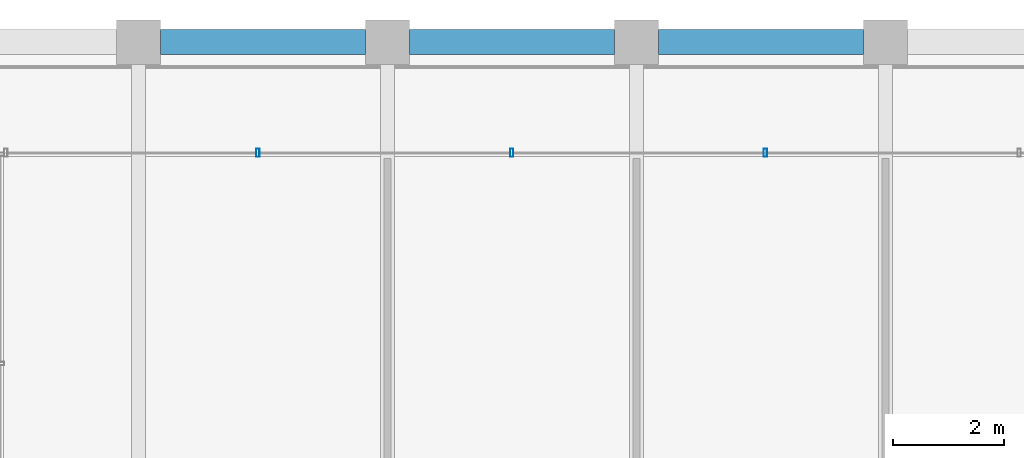
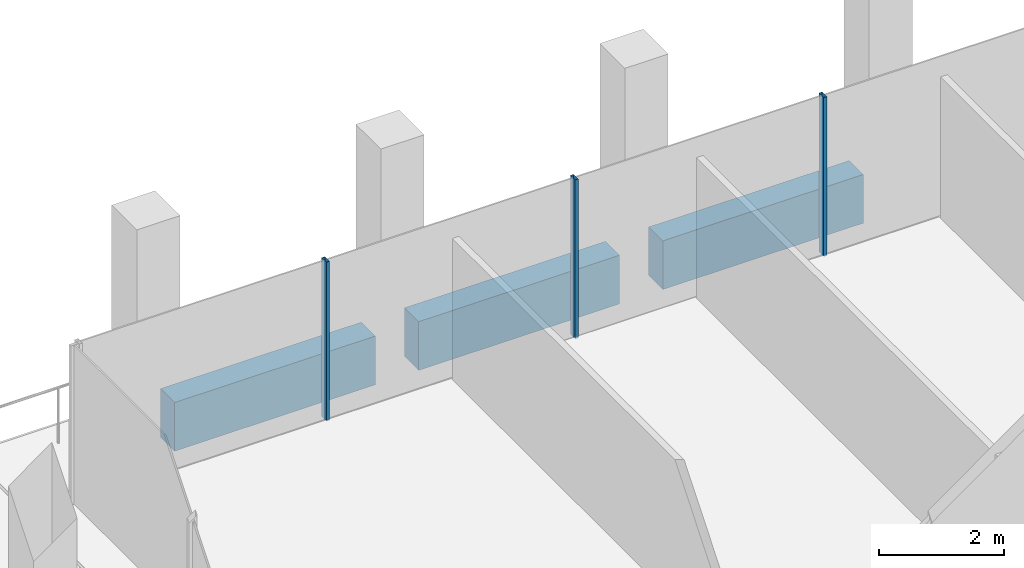
# One storey, part 23 of 30: 3 beams, 3 members, 1 element without a shape of its own.
"""IFC4 building model written with IfcOpenShell, lengths in metres."""

import ifcopenshell
import ifcopenshell.guid

model = None  # the IFC model being written
_history = None  # IfcOwnerHistory: only IFC2X3 demands one
_inside = {}  # id of a spatial element -> (the spatial element, [elements in it])
_under = {}  # id of a project, library or spatial element -> (it, [spatial elements below it])
_declared = {}  # id of a project -> (the project, [libraries it declares])
_typed = {}  # id of a type object -> (the type object, [elements of that type])
_made_of = {}  # id of a material, layer set ... -> (it, [elements and type objects made of it])


def new_model(schema):
    """Start an empty IFC model of exactly this schema.

    Asked for "IFC4X3", IfcOpenShell would pick the latest addendum, in which some entities
    have other attributes; the version numbers below select the first issue.
    IFC2X3 requires an IfcOwnerHistory on every rooted entity: one is made here for all.
    """
    global model, _history
    if schema == "IFC4X3":
        model = ifcopenshell.file(schema_version=(4, 3, 0, 0))
    else:
        model = ifcopenshell.file(schema=schema)
    _inside.clear()
    _under.clear()
    _declared.clear()
    _typed.clear()
    _made_of.clear()
    _history = None
    if model.schema == "IFC2X3":
        org = make("IfcOrganization", Name="unknown")
        user = make(
            "IfcPersonAndOrganization",
            ThePerson=make("IfcPerson", FamilyName="unknown"),
            TheOrganization=org,
        )
        app = make(
            "IfcApplication",
            ApplicationDeveloper=org,
            Version="unknown",
            ApplicationFullName="unknown",
            ApplicationIdentifier="unknown",
        )
        _history = make(
            "IfcOwnerHistory",
            OwningUser=user,
            OwningApplication=app,
            ChangeAction="ADDED",
            CreationDate=0,
        )
    return model


def make(cls, **values):
    """One entity of the class cls with the attributes given. An attribute that is None is left unset."""
    return model.create_entity(
        cls, **{name: value for name, value in values.items() if value is not None}
    )


def rooted(cls, **values):
    """An entity with a GlobalId (a new one), such as an element, a storey or a relation."""
    return make(cls, GlobalId=ifcopenshell.guid.new(), OwnerHistory=_history, **values)


def si_unit(unit_type, name, prefix=None):
    """IfcSIUnit, for example si_unit("LENGTHUNIT", "METRE", prefix="MILLI")."""
    return make("IfcSIUnit", UnitType=unit_type, Prefix=prefix, Name=name)


def assignment(units):
    """IfcUnitAssignment: the units of a project."""
    return None if units is None else make("IfcUnitAssignment", Units=units)


def point(xyz):
    """IfcCartesianPoint."""
    return None if xyz is None else make("IfcCartesianPoint", Coordinates=xyz)


def direction(xyz):
    """IfcDirection."""
    return None if xyz is None else make("IfcDirection", DirectionRatios=xyz)


def frame(location, z_axis=None, x_axis=None):
    """IfcAxis2Placement3D, a coordinate frame: its origin and axes. An axis left out is left unset."""
    return make(
        "IfcAxis2Placement3D",
        Location=point(location),
        Axis=direction(z_axis),
        RefDirection=direction(x_axis),
    )


def frame_2d(location, x_axis=None):
    """IfcAxis2Placement2D, a coordinate frame in the plane: its origin and x axis."""
    return make(
        "IfcAxis2Placement2D", Location=point(location), RefDirection=direction(x_axis)
    )


def origin():
    """The frame at (0, 0, 0) with its axes left unset."""
    return frame((0.0, 0.0, 0.0))


def origin_2d():
    """The frame at (0, 0) in the plane with its x axis left unset."""
    return frame_2d((0.0, 0.0))


def place(relative_to, where):
    """IfcLocalPlacement: puts the frame where relative to a parent placement (None: the world)."""
    return make(
        "IfcLocalPlacement", PlacementRelTo=relative_to, RelativePlacement=where
    )


def context(
    kind, dimensions, precision=None, world=None, true_north=None, identifier=None
):
    """IfcGeometricRepresentationContext, for example the 3D "Model" context."""
    return make(
        "IfcGeometricRepresentationContext",
        ContextIdentifier=identifier,
        ContextType=kind,
        CoordinateSpaceDimension=dimensions,
        Precision=precision,
        WorldCoordinateSystem=world,
        TrueNorth=true_north,
    )


def subcontext(parent, identifier, kind, view, scale=None):
    """IfcGeometricRepresentationSubContext, for example "Body" below "Model"."""
    return make(
        "IfcGeometricRepresentationSubContext",
        ContextIdentifier=identifier,
        ContextType=kind,
        ParentContext=parent,
        TargetScale=scale,
        TargetView=view,
    )


def project(units=None, contexts=None):
    """IfcProject with its units and contexts."""
    return rooted(
        "IfcProject",
        Name="project",
        RepresentationContexts=contexts,
        UnitsInContext=assignment(units),
    )


def spatial(cls, under=None, at=None, **own):
    """A site, building, storey or space (cls), placed at a placement, below another one or the project."""
    s = rooted(cls, ObjectPlacement=at, **own)
    if under is not None:
        _under.setdefault(under.id(), (under, []))[1].append(s)
    return s


def profile(cls, at=None, kind="AREA", **sizes):
    """A parametric profile (cls). Its sizes go by their IFC names, for example OverallWidth=200.0."""
    return make(cls, ProfileType=kind, Position=at, **sizes)


def rectangle(**sizes):
    """IfcRectangleProfileDef."""
    return profile("IfcRectangleProfileDef", **sizes)


def hollow_rectangle(**sizes):
    """IfcRectangleHollowProfileDef."""
    return profile("IfcRectangleHollowProfileDef", **sizes)


def extrude(swept, where, along, depth):
    """IfcExtrudedAreaSolid: the profile swept, set in the frame where, extruded along a direction by depth."""
    return make(
        "IfcExtrudedAreaSolid",
        SweptArea=swept,
        Position=where,
        ExtrudedDirection=direction(along),
        Depth=depth,
    )


def shape(context_of_items, identifier, shape_type, items):
    """IfcShapeRepresentation: the items that make up one representation, for example the "Body"."""
    return make(
        "IfcShapeRepresentation",
        ContextOfItems=context_of_items,
        RepresentationIdentifier=identifier,
        RepresentationType=shape_type,
        Items=items,
    )


def material(Name=None, Category=None):
    """IfcMaterial."""
    return make("IfcMaterial", Name=Name, Category=Category)


def material_profile(
    of_material, cross_section, Name=None, Category=None, Priority=None
):
    """IfcMaterialProfile: a cross section and its material."""
    return make(
        "IfcMaterialProfile",
        Name=Name,
        Material=of_material,
        Profile=cross_section,
        Priority=Priority,
        Category=Category,
    )


def profile_set(profiles, Name=None, composite=None):
    """IfcMaterialProfileSet."""
    return make(
        "IfcMaterialProfileSet",
        Name=Name,
        MaterialProfiles=profiles,
        CompositeProfile=composite,
    )


def made_of(thing, what):
    """Note that an element or type object is made of a material, layer set ...; save() writes the relation."""
    if what is not None:
        _made_of.setdefault(what.id(), (what, []))[1].append(thing)
    return thing


def type_object(cls, material=None, **own):
    """A type object (cls), such as IfcWallType, which elements share."""
    return made_of(rooted(cls, **own), material)


def element(
    cls,
    number,
    at=None,
    inside=None,
    cuts=None,
    type_object=None,
    material=None,
    context=None,
    identifier="Body",
    shape_type=None,
    held_by="IfcProductDefinitionShape",
    body=None,
    shapes=None,
    **own,
):
    """One element of the class cls, such as IfcWall. Its Tag is "e" and its number.

    at: its placement. inside: the storey or other place that contains it. cuts: it is an
    opening in that element (IfcRelVoidsElement). A single representation is given by context,
    identifier, shape_type and body (its items); several are given by shapes. held_by: the class
    of the entity that holds the representations. save() writes the other relations.
    """
    e = rooted(cls, Tag="e%d" % number, ObjectPlacement=at, **own)
    if body is not None:
        shapes = [shape(context, identifier, shape_type, body)]
    if shapes is not None:
        e.Representation = make(held_by, Representations=shapes)
    if inside is not None:
        _inside.setdefault(inside.id(), (inside, []))[1].append(e)
    if cuts is not None:
        rooted(
            "IfcRelVoidsElement", RelatingBuildingElement=cuts, RelatedOpeningElement=e
        )
    if type_object is not None:
        _typed.setdefault(type_object.id(), (type_object, []))[1].append(e)
    return made_of(e, material)


def aggregate(whole, parts):
    """IfcRelAggregates: a whole, such as a stair, and the parts it consists of."""
    return rooted("IfcRelAggregates", RelatingObject=whole, RelatedObjects=parts)


def save(model, path):
    """Write the relations noted so far, then the file.

    IfcRelAggregates (storeys below a building ...), IfcRelContainedInSpatialStructure (elements
    in a storey), IfcRelDefinesByType, IfcRelAssociatesMaterial and IfcRelDeclares: one each for
    every whole, place, type object, material and project.
    """
    for whole, parts in _under.values():
        aggregate(whole, parts)
    for where, things in _inside.values():
        rooted(
            "IfcRelContainedInSpatialStructure",
            RelatedElements=things,
            RelatingStructure=where,
        )
    for kind, things in _typed.values():
        rooted("IfcRelDefinesByType", RelatedObjects=things, RelatingType=kind)
    for what, things in _made_of.values():
        rooted("IfcRelAssociatesMaterial", RelatedObjects=things, RelatingMaterial=what)
    for by, libraries in _declared.values():
        rooted("IfcRelDeclares", RelatingContext=by, RelatedDefinitions=libraries)
    model.write(path)


model = new_model("IFC4")

# Units and contexts
model_context = context("Model", 3, precision=1e-05, world=origin(), true_north=direction((0.0, 1.0)))
body_context = subcontext(model_context, "Body", "Model", "MODEL_VIEW")
ifc_project = project(units=[si_unit("LENGTHUNIT", "METRE"), si_unit("AREAUNIT", "SQUARE_METRE"), si_unit("VOLUMEUNIT", "CUBIC_METRE"), si_unit("PLANEANGLEUNIT", "RADIAN"), si_unit("MASSUNIT", "GRAM", prefix="KILO")], contexts=[model_context])

# Site, building, storey
site_placement = place(None, origin())
site = spatial("IfcSite", under=ifc_project, at=site_placement, CompositionType="ELEMENT")
building_placement = place(site_placement, origin())
building = spatial("IfcBuilding", under=site, at=building_placement, Name="Altepetl Exchange Towers", CompositionType="ELEMENT")
storey_placement = place(building_placement, frame((0.0, 0.0, 217.199951171875)))
storey = spatial("IfcBuildingStorey", under=building, at=storey_placement, Name="L55", CompositionType="ELEMENT", Elevation=217.199951171875)

# Curtain wall, members
ifc_material_1 = material(Name="Aluminium 6063-T6 glazing", Category="aluminium")
curtain_wall_type = type_object("IfcCurtainWallType", Name="Loggia glazing system", PredefinedType="NOTDEFINED", material=ifc_material_1)
curtain_wall_placement = place(storey_placement, origin())
curtain_wall = element("IfcCurtainWall", 1, at=curtain_wall_placement, inside=storey, type_object=curtain_wall_type, Name="CW1 run", PredefinedType="NOTDEFINED")
ifc_material_2 = material(Name="Aluminium 6063-T6", Category="aluminium")
ifc_material_profile_1 = material_profile(ifc_material_2, hollow_rectangle(XDim=0.06005859375, YDim=0.14990234375, WallThickness=0.0029296875, at=origin_2d()), Name="Mullion 60x150 aluminium")
ifc_profile_set_1 = profile_set([ifc_material_profile_1], Name="Aluminium 6063-T6")
member_type = type_object("IfcMemberType", Name="Mullion 60x150 aluminium", PredefinedType="MULLION", material=ifc_profile_set_1)
member_1_placement = place(storey_placement, frame((56.330078125, 70.0, 0.0), z_axis=(0.0, 0.0, 1.0), x_axis=(-1.0, 0.0, 0.0)))
member_1 = element("IfcMember", 2, at=member_1_placement, type_object=member_type, Name="MU1 mullion", PredefinedType="MULLION", context=body_context, shape_type="SweptSolid", body=[
    extrude(hollow_rectangle(XDim=0.06005859375, YDim=0.14990234375, WallThickness=0.0029296875, at=origin_2d()), origin(), (0.0, 0.0, 1.0), 3.10009765625),
])
member_2_placement = place(storey_placement, frame((51.7451171875, 70.0, 0.0), z_axis=(0.0, 0.0, 1.0), x_axis=(-1.0, 0.0, 0.0)))
member_2 = element("IfcMember", 3, at=member_2_placement, type_object=member_type, Name="MU1 mullion", PredefinedType="MULLION", context=body_context, shape_type="SweptSolid", body=[
    extrude(hollow_rectangle(XDim=0.06005859375, YDim=0.14990234375, WallThickness=0.0029296875, at=origin_2d()), origin(), (0.0, 0.0, 1.0), 3.10009765625),
])
member_3_placement = place(storey_placement, frame((47.159912109375, 70.0, 0.0), z_axis=(0.0, 0.0, 1.0), x_axis=(-1.0, 0.0, 0.0)))
member_3 = element("IfcMember", 4, at=member_3_placement, type_object=member_type, Name="MU1 mullion", PredefinedType="MULLION", context=body_context, shape_type="SweptSolid", body=[
    extrude(hollow_rectangle(XDim=0.06005859375, YDim=0.14990234375, WallThickness=0.0029296875, at=origin_2d()), origin(), (0.0, 0.0, 1.0), 3.10009765625),
])
aggregate(curtain_wall, [member_1, member_2, member_3])

# Beams
ifc_material_3 = material(Name="Concrete C50/60 precast with cantera rosa facing", Category="concrete")
ifc_material_profile_2 = material_profile(ifc_material_3, rectangle(XDim=0.449951171875, YDim=0.949951171875, at=origin_2d()), Name="450 x 950")
ifc_profile_set_2 = profile_set([ifc_material_profile_2], Name="Concrete C50/60 precast with cantera rosa facing")
beam_type = type_object("IfcBeamType", Name="Spandrel beam 450x950 cantera rosa", PredefinedType="SPANDREL", material=ifc_profile_set_2)
for number, where, z_axis, x_axis, name in (
    (5, (58.10009765625, 72.0, -0.625), (-1.0, 0.0, 0.0), (0.0, -1.0, 0.0), "sp:A:L55:026"),
    (6, (53.60009765625, 72.0, -0.625), (-1.0, 0.0, 0.0), (0.0, -1.0, 0.0), "sp:A:L55:027"),
    (7, (49.10009765625, 72.0, -0.625), (-1.0, 0.0, 0.0), (0.0, -1.0, 0.0), "sp:A:L55:028"),
):
    element("IfcBeam", number, at=place(storey_placement, frame(where, z_axis=z_axis, x_axis=x_axis)), inside=storey, type_object=beam_type, Name=name, PredefinedType="SPANDREL", context=body_context, shape_type="SweptSolid", body=[
        extrude(rectangle(XDim=0.449951171875, YDim=0.949951171875, at=origin_2d()), origin(), (0.0, 0.0, 1.0), 3.7001953125),
    ])

save(model, "model.ifc")
